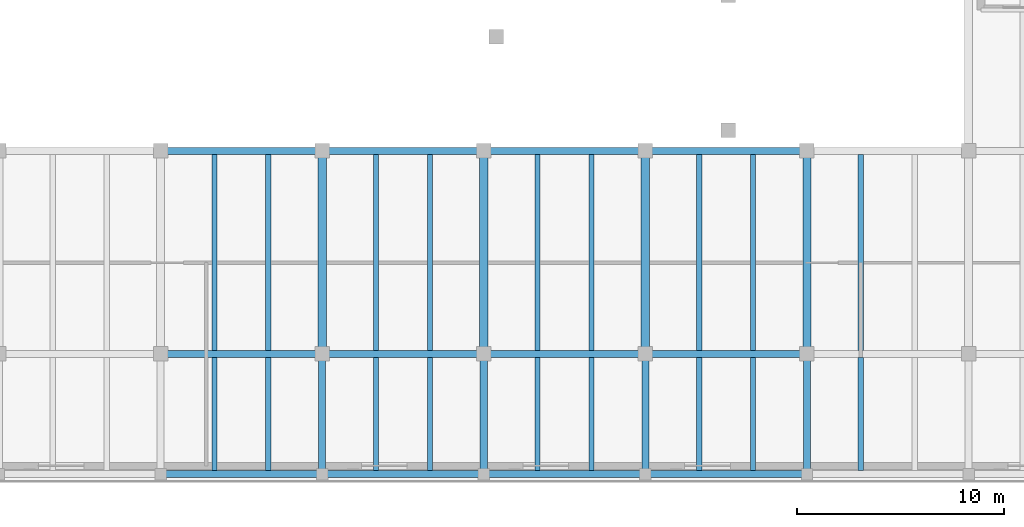
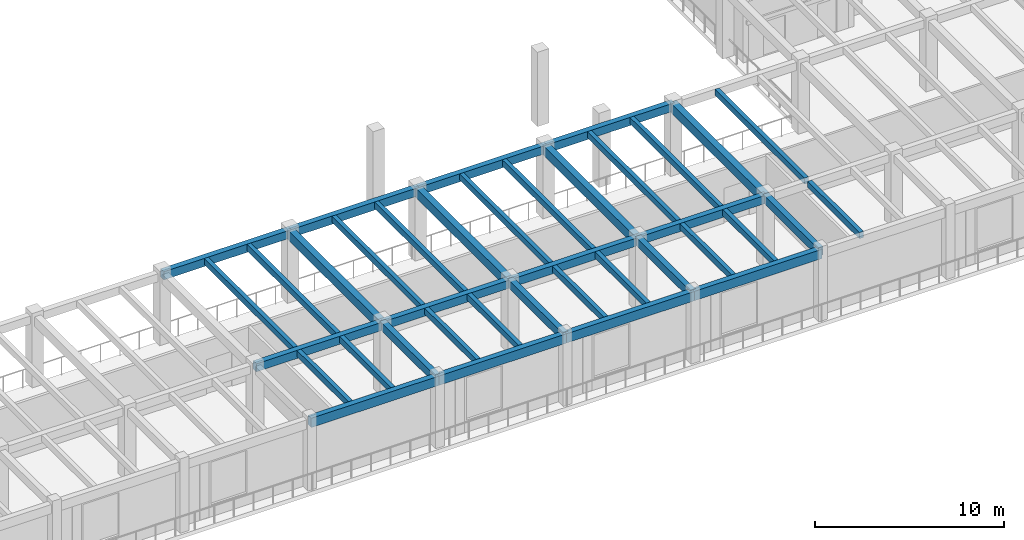
# One storey, part 19 of 98: 38 beams.
"""IFC4 building model written with IfcOpenShell, lengths in metres."""

from ifc_helpers import new_model, si_unit, direction, frame, origin, origin_2d, place, context, subcontext, project, spatial, rectangle, extrude, material, material_profile, profile_set, type_object, element, save


model = new_model("IFC4")

# Units and contexts
model_context = context("Model", 3, precision=1e-05, world=origin(), true_north=direction((0.0, 1.0)))
body_context = subcontext(model_context, "Body", "Model", "MODEL_VIEW")
ifc_project = project(units=[si_unit("LENGTHUNIT", "METRE"), si_unit("AREAUNIT", "SQUARE_METRE"), si_unit("VOLUMEUNIT", "CUBIC_METRE"), si_unit("PLANEANGLEUNIT", "RADIAN"), si_unit("MASSUNIT", "GRAM", prefix="KILO")], contexts=[model_context])

# Site, building, storey
site_placement = place(None, origin())
site = spatial("IfcSite", under=ifc_project, at=site_placement, CompositionType="ELEMENT")
building_placement = place(site_placement, origin())
building = spatial("IfcBuilding", under=site, at=building_placement, Name="Pelvatis Terrace Science Centre", CompositionType="ELEMENT")
storey_placement = place(building_placement, frame((0.0, 0.0, 5.39990234375)))
storey = spatial("IfcBuildingStorey", under=building, at=storey_placement, Name="L01", CompositionType="ELEMENT", Elevation=5.39990234375)

# Beams
ifc_material_1 = material(Name="Concrete C35/45", Category="concrete")
ifc_material_profile_1 = material_profile(ifc_material_1, rectangle(XDim=0.340087890625, YDim=0.52001953125, at=origin_2d()), Name="RC-BM 340x520")
ifc_profile_set_1 = profile_set([ifc_material_profile_1], Name="Concrete C35/45")
beam_type_1 = type_object("IfcBeamType", Name="BM-RC-340x520", PredefinedType="BEAM", material=ifc_profile_set_1)
for number, where, z_axis, x_axis, name in (
    (1, (93.60009765625, 6.199951171875, 4.280029296875), (1.0, 0.0, 0.0), (0.0, 1.0, 0.0), "Beam BM-L01-2740"),
    (2, (93.60009765625, 16.0, 4.280029296875), (1.0, 0.0, 0.0), (0.0, 1.0, 0.0), "Beam BM-L01-2741"),
):
    element("IfcBeam", number, at=place(storey_placement, frame(where, z_axis=z_axis, x_axis=x_axis)), inside=storey, type_object=beam_type_1, Name=name, PredefinedType="BEAM", context=body_context, shape_type="SweptSolid", body=[
        extrude(rectangle(XDim=0.340087890625, YDim=0.52001953125, at=origin_2d()), origin(), (0.0, 0.0, 1.0), 7.7998046875),
    ])
beam_1_placement = place(storey_placement, frame((101.39990234375, 0.39990234375, 4.280029296875), z_axis=(0.0, 1.0, 0.0), x_axis=(-1.0, 0.0, 0.0)))
element("IfcBeam", 3, at=beam_1_placement, inside=storey, type_object=beam_type_1, Name="Beam BM-L01-2742", PredefinedType="BEAM", context=body_context, shape_type="SweptSolid", body=[
    extrude(rectangle(XDim=0.340087890625, YDim=0.52001953125, at=origin_2d()), origin(), (0.0, 0.0, 1.0), 5.800048828125),
])
for number, where, z_axis, x_axis, name in (
    (4, (101.39990234375, 6.199951171875, 4.280029296875), (1.0, 0.0, 0.0), (0.0, 1.0, 0.0), "Beam BM-L01-2745"),
    (5, (101.39990234375, 16.0, 4.280029296875), (1.0, 0.0, 0.0), (0.0, 1.0, 0.0), "Beam BM-L01-2746"),
):
    element("IfcBeam", number, at=place(storey_placement, frame(where, z_axis=z_axis, x_axis=x_axis)), inside=storey, type_object=beam_type_1, Name=name, PredefinedType="BEAM", context=body_context, shape_type="SweptSolid", body=[
        extrude(rectangle(XDim=0.340087890625, YDim=0.52001953125, at=origin_2d()), origin(), (0.0, 0.0, 1.0), 7.800048828125),
    ])
beam_2_placement = place(storey_placement, frame((109.199951171875, 0.39990234375, 4.280029296875), z_axis=(0.0, 1.0, 0.0), x_axis=(-1.0, 0.0, 0.0)))
element("IfcBeam", 6, at=beam_2_placement, inside=storey, type_object=beam_type_1, Name="Beam BM-L01-2747", PredefinedType="BEAM", context=body_context, shape_type="SweptSolid", body=[
    extrude(rectangle(XDim=0.340087890625, YDim=0.52001953125, at=origin_2d()), origin(), (0.0, 0.0, 1.0), 5.800048828125),
])
for number, where, z_axis, x_axis, name in (
    (7, (109.199951171875, 6.199951171875, 4.280029296875), (1.0, 0.0, 0.0), (0.0, 1.0, 0.0), "Beam BM-L01-2750"),
    (8, (109.199951171875, 16.0, 4.280029296875), (1.0, 0.0, 0.0), (0.0, 1.0, 0.0), "Beam BM-L01-2751"),
):
    element("IfcBeam", number, at=place(storey_placement, frame(where, z_axis=z_axis, x_axis=x_axis)), inside=storey, type_object=beam_type_1, Name=name, PredefinedType="BEAM", context=body_context, shape_type="SweptSolid", body=[
        extrude(rectangle(XDim=0.340087890625, YDim=0.52001953125, at=origin_2d()), origin(), (0.0, 0.0, 1.0), 7.800048828125),
    ])
beam_3_placement = place(storey_placement, frame((117.0, 0.39990234375, 4.280029296875), z_axis=(0.0, 1.0, 0.0), x_axis=(-1.0, 0.0, 0.0)))
element("IfcBeam", 9, at=beam_3_placement, inside=storey, type_object=beam_type_1, Name="Beam BM-L01-2752", PredefinedType="BEAM", context=body_context, shape_type="SweptSolid", body=[
    extrude(rectangle(XDim=0.340087890625, YDim=0.52001953125, at=origin_2d()), origin(), (0.0, 0.0, 1.0), 5.800048828125),
])
for number, where, z_axis, x_axis, name in (
    (10, (117.0, 6.199951171875, 4.280029296875), (1.0, 0.0, 0.0), (0.0, 1.0, 0.0), "Beam BM-L01-2755"),
    (11, (117.0, 16.0, 4.280029296875), (1.0, 0.0, 0.0), (0.0, 1.0, 0.0), "Beam BM-L01-2756"),
):
    element("IfcBeam", number, at=place(storey_placement, frame(where, z_axis=z_axis, x_axis=x_axis)), inside=storey, type_object=beam_type_1, Name=name, PredefinedType="BEAM", context=body_context, shape_type="SweptSolid", body=[
        extrude(rectangle(XDim=0.340087890625, YDim=0.52001953125, at=origin_2d()), origin(), (0.0, 0.0, 1.0), 7.800048828125),
    ])
beam_4_placement = place(storey_placement, frame((124.800048828125, 0.39990234375, 4.280029296875), z_axis=(0.0, 1.0, 0.0), x_axis=(-1.0, 0.0, 0.0)))
element("IfcBeam", 12, at=beam_4_placement, inside=storey, type_object=beam_type_1, Name="Beam BM-L01-2757", PredefinedType="BEAM", context=body_context, shape_type="SweptSolid", body=[
    extrude(rectangle(XDim=0.340087890625, YDim=0.52001953125, at=origin_2d()), origin(), (0.0, 0.0, 1.0), 5.800048828125),
])
ifc_material_2 = material(Name="Concrete C35/45", Category="concrete")
ifc_material_profile_2 = material_profile(ifc_material_2, rectangle(XDim=0.39990234375, YDim=0.60009765625, at=origin_2d()), Name="RC-BM 400x600")
ifc_profile_set_2 = profile_set([ifc_material_profile_2], Name="Concrete C35/45")
beam_type_2 = type_object("IfcBeamType", Name="BM-RC-400x600", PredefinedType="BEAM", material=ifc_profile_set_2)
for number, where, z_axis, x_axis, name in (
    (13, (101.39990234375, 6.199951171875, 4.239990234375), (0.0, 1.0, 0.0), (-1.0, 0.0, 0.0), "Beam BM-L01-2744"),
    (14, (109.199951171875, 6.199951171875, 4.239990234375), (0.0, 1.0, 0.0), (-1.0, 0.0, 0.0), "Beam BM-L01-2749"),
    (15, (117.0, 6.199951171875, 4.239990234375), (0.0, 1.0, 0.0), (-1.0, 0.0, 0.0), "Beam BM-L01-2754"),
    (16, (124.800048828125, 6.199951171875, 4.239990234375), (0.0, 1.0, 0.0), (-1.0, 0.0, 0.0), "Beam BM-L01-2759"),
):
    element("IfcBeam", number, at=place(storey_placement, frame(where, z_axis=z_axis, x_axis=x_axis)), inside=storey, type_object=beam_type_2, Name=name, PredefinedType="BEAM", context=body_context, shape_type="SweptSolid", body=[
        extrude(rectangle(XDim=0.39990234375, YDim=0.60009765625, at=origin_2d()), origin(), (0.0, 0.0, 1.0), 9.800048828125),
    ])
ifc_material_3 = material(Name="Concrete C35/45", Category="concrete")
ifc_material_profile_3 = material_profile(ifc_material_3, rectangle(XDim=0.25, YDim=0.39990234375, at=origin_2d()), Name="RC-JST 250x400")
ifc_profile_set_3 = profile_set([ifc_material_profile_3], Name="Concrete C35/45")
beam_type_3 = type_object("IfcBeamType", Name="JST-RC-250x400", PredefinedType="JOIST", material=ifc_profile_set_3)
for number, where, z_axis, x_axis, name in (
    (17, (96.199951171875, 0.570068359375, 4.340087890625), (0.0, 1.0, 0.0), (-1.0, 0.0, 0.0), "Secondary floor joist J-L01-2087"),
    (18, (98.800048828125, 0.570068359375, 4.340087890625), (0.0, 1.0, 0.0), (-1.0, 0.0, 0.0), "Secondary floor joist J-L01-2088"),
    (19, (104.0, 0.570068359375, 4.340087890625), (0.0, 1.0, 0.0), (-1.0, 0.0, 0.0), "Secondary floor joist J-L01-2089"),
    (20, (106.60009765625, 0.570068359375, 4.340087890625), (0.0, 1.0, 0.0), (-1.0, 0.0, 0.0), "Secondary floor joist J-L01-2090"),
    (21, (111.800048828125, 0.570068359375, 4.340087890625), (0.0, 1.0, 0.0), (-1.0, 0.0, 0.0), "Secondary floor joist J-L01-2091"),
    (22, (114.39990234375, 0.570068359375, 4.340087890625), (0.0, 1.0, 0.0), (-1.0, 0.0, 0.0), "Secondary floor joist J-L01-2092"),
    (23, (119.60009765625, 0.570068359375, 4.340087890625), (0.0, 1.0, 0.0), (-1.0, 0.0, 0.0), "Secondary floor joist J-L01-2093"),
    (24, (122.199951171875, 0.570068359375, 4.340087890625), (0.0, 1.0, 0.0), (-1.0, 0.0, 0.0), "Secondary floor joist J-L01-2094"),
    (25, (127.39990234375, 0.570068359375, 4.340087890625), (0.0, 1.0, 0.0), (-1.0, 0.0, 0.0), "Secondary floor joist J-L01-2095"),
):
    element("IfcBeam", number, at=place(storey_placement, frame(where, z_axis=z_axis, x_axis=x_axis)), inside=storey, type_object=beam_type_3, Name=name, PredefinedType="JOIST", context=body_context, shape_type="SweptSolid", body=[
        extrude(rectangle(XDim=0.25, YDim=0.39990234375, at=origin_2d()), origin(), (0.0, 0.0, 1.0), 5.4599609375),
    ])
for number, where, z_axis, x_axis, name in (
    (26, (96.199951171875, 6.3701171875, 4.340087890625), (0.0, 1.0, 0.0), (-1.0, 0.0, 0.0), "Secondary floor joist J-L01-2113"),
    (27, (98.800048828125, 6.3701171875, 4.340087890625), (0.0, 1.0, 0.0), (-1.0, 0.0, 0.0), "Secondary floor joist J-L01-2114"),
    (28, (104.0, 6.3701171875, 4.340087890625), (0.0, 1.0, 0.0), (-1.0, 0.0, 0.0), "Secondary floor joist J-L01-2115"),
    (29, (106.60009765625, 6.3701171875, 4.340087890625), (0.0, 1.0, 0.0), (-1.0, 0.0, 0.0), "Secondary floor joist J-L01-2116"),
    (30, (111.800048828125, 6.3701171875, 4.340087890625), (0.0, 1.0, 0.0), (-1.0, 0.0, 0.0), "Secondary floor joist J-L01-2117"),
    (31, (114.39990234375, 6.3701171875, 4.340087890625), (0.0, 1.0, 0.0), (-1.0, 0.0, 0.0), "Secondary floor joist J-L01-2118"),
    (32, (119.60009765625, 6.3701171875, 4.340087890625), (0.0, 1.0, 0.0), (-1.0, 0.0, 0.0), "Secondary floor joist J-L01-2119"),
    (33, (122.199951171875, 6.3701171875, 4.340087890625), (0.0, 1.0, 0.0), (-1.0, 0.0, 0.0), "Secondary floor joist J-L01-2120"),
    (34, (127.39990234375, 6.3701171875, 4.340087890625), (0.0, 1.0, 0.0), (-1.0, 0.0, 0.0), "Secondary floor joist J-L01-2121"),
):
    element("IfcBeam", number, at=place(storey_placement, frame(where, z_axis=z_axis, x_axis=x_axis)), inside=storey, type_object=beam_type_3, Name=name, PredefinedType="JOIST", context=body_context, shape_type="SweptSolid", body=[
        extrude(rectangle(XDim=0.25, YDim=0.39990234375, at=origin_2d()), origin(), (0.0, 0.0, 1.0), 9.4599609375),
    ])
ifc_material_4 = material(Name="Concrete C35/45", Category="concrete")
ifc_material_profile_4 = material_profile(ifc_material_4, rectangle(XDim=0.340087890625, YDim=0.60009765625, at=origin_2d()), Name="RC-SPN 340x600")
ifc_profile_set_4 = profile_set([ifc_material_profile_4], Name="Concrete C35/45")
beam_type_4 = type_object("IfcBeamType", Name="SPN-RC-340x600", PredefinedType="SPANDREL", material=ifc_profile_set_4)
beam_5_placement = place(storey_placement, frame((93.60009765625, 0.39990234375, 4.239990234375), z_axis=(1.0, 0.0, 0.0), x_axis=(0.0, 1.0, 0.0)))
element("IfcBeam", 35, at=beam_5_placement, inside=storey, type_object=beam_type_4, Name="Spandrel SP-L01-2738", PredefinedType="SPANDREL", context=body_context, shape_type="SweptSolid", body=[
    extrude(rectangle(XDim=0.340087890625, YDim=0.60009765625, at=origin_2d()), origin(), (0.0, 0.0, 1.0), 7.7998046875),
])
for number, where, z_axis, x_axis, name in (
    (36, (101.39990234375, 0.39990234375, 4.239990234375), (1.0, 0.0, 0.0), (0.0, 1.0, 0.0), "Spandrel SP-L01-2743"),
    (37, (109.199951171875, 0.39990234375, 4.239990234375), (1.0, 0.0, 0.0), (0.0, 1.0, 0.0), "Spandrel SP-L01-2748"),
    (38, (117.0, 0.39990234375, 4.239990234375), (1.0, 0.0, 0.0), (0.0, 1.0, 0.0), "Spandrel SP-L01-2753"),
):
    element("IfcBeam", number, at=place(storey_placement, frame(where, z_axis=z_axis, x_axis=x_axis)), inside=storey, type_object=beam_type_4, Name=name, PredefinedType="SPANDREL", context=body_context, shape_type="SweptSolid", body=[
        extrude(rectangle(XDim=0.340087890625, YDim=0.60009765625, at=origin_2d()), origin(), (0.0, 0.0, 1.0), 7.800048828125),
    ])

save(model, "model.ifc")
